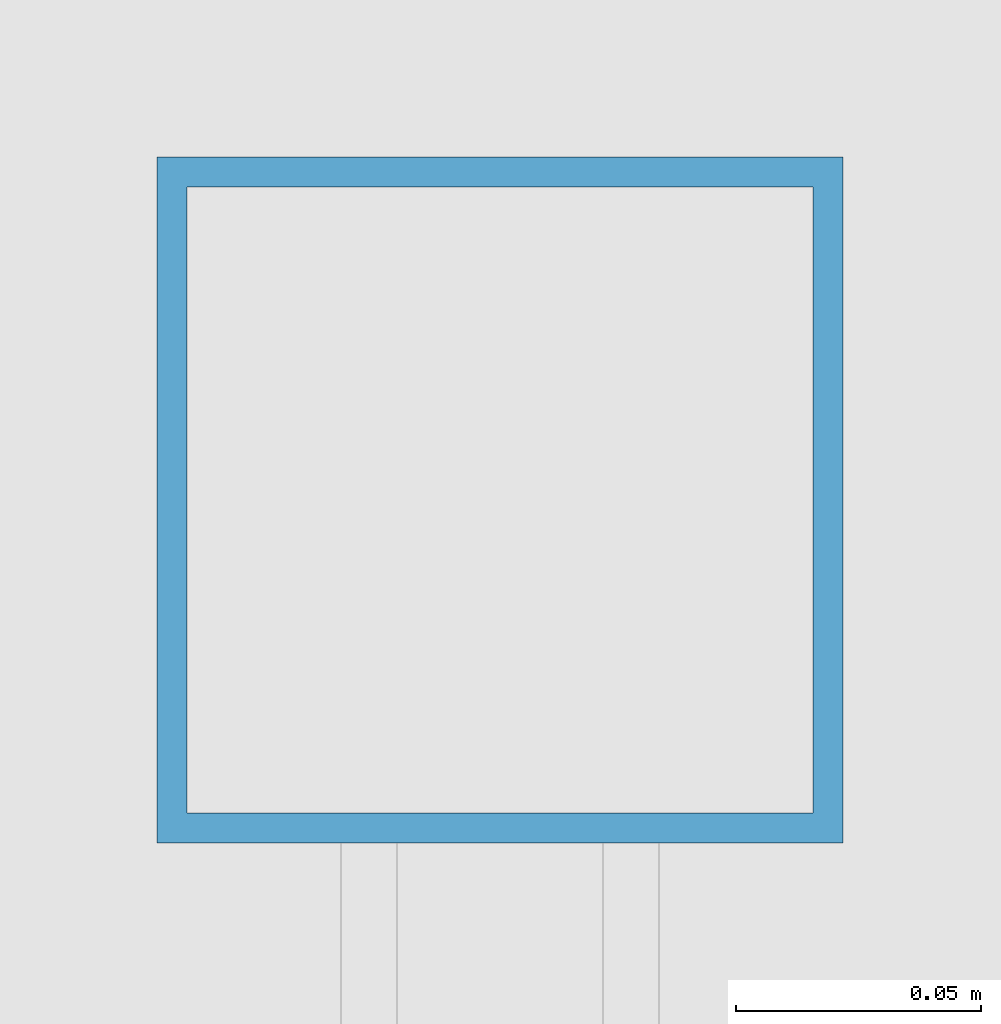
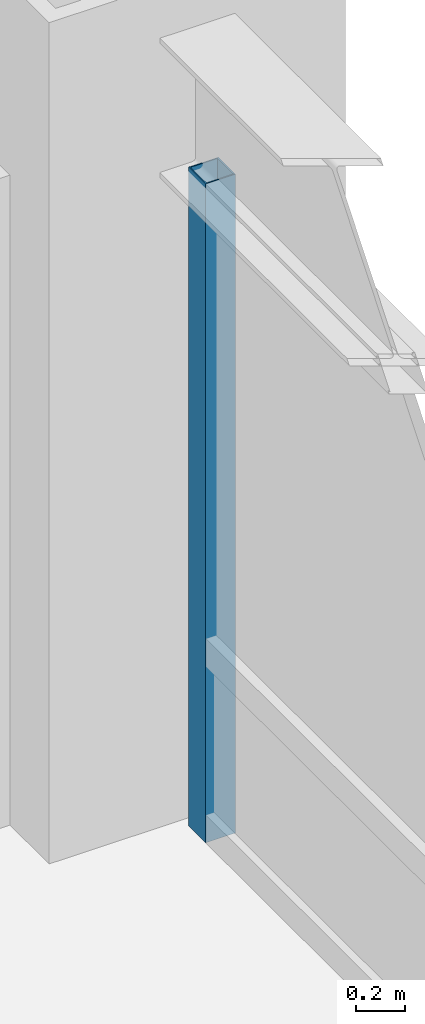
# One storey, part 16 of 32: 1 member, 1 element without a shape of its own.
"""IFC4 building model written with IfcOpenShell, lengths in metres."""

from ifc_helpers import new_model, si_unit, direction, frame, origin, origin_2d, place, context, subcontext, project, spatial, hollow_rectangle, extrude, source, transform, mapped, material, material_profile, profile_set, type_object, element, aggregate, save


model = new_model("IFC4")

# Units and contexts
model_context = context("Model", 3, precision=1e-05, world=origin(), true_north=direction((0.0, 1.0)))
body_context = subcontext(model_context, "Body", "Model", "MODEL_VIEW")
ifc_project = project(units=[si_unit("LENGTHUNIT", "METRE"), si_unit("AREAUNIT", "SQUARE_METRE"), si_unit("VOLUMEUNIT", "CUBIC_METRE"), si_unit("PLANEANGLEUNIT", "RADIAN"), si_unit("MASSUNIT", "GRAM", prefix="KILO")], contexts=[model_context])

# Site, building, storey
site_placement = place(None, origin())
site = spatial("IfcSite", under=ifc_project, at=site_placement, CompositionType="ELEMENT")
building_placement = place(site_placement, origin())
building = spatial("IfcBuilding", under=site, at=building_placement, Name="Khorayat Bourse Tower", CompositionType="ELEMENT")
storey_placement = place(building_placement, frame((0.0, 0.0, 74.60009765625)))
storey = spatial("IfcBuildingStorey", under=building, at=storey_placement, Name="L16", CompositionType="ELEMENT", Elevation=74.60009765625)

# Curtain wall, member
ifc_material = material(Name="Aluminium EN AW-6063 T6", Category="aluminium")
curtain_wall_type = type_object("IfcCurtainWallType", Name="CW-SYS-02", PredefinedType="NOTDEFINED", material=ifc_material)
curtain_wall_placement = place(storey_placement, origin())
curtain_wall = element("IfcCurtainWall", 1, at=curtain_wall_placement, inside=storey, type_object=curtain_wall_type, Name="L16 Curtain Wall CW-L16-E1", PredefinedType="NOTDEFINED")
ifc_material_profile = material_profile(ifc_material, hollow_rectangle(XDim=0.139892578125, YDim=0.139892578125, WallThickness=0.006103515625, at=origin_2d()), Name="ALU 140x140x6")
ifc_profile_set = profile_set([ifc_material_profile], Name="Aluminium EN AW-6063 T6")
member_type = type_object("IfcMemberType", Name="CWM-VERT-140", PredefinedType="MULLION", material=ifc_profile_set)
shared_shape = source(origin(), body_context, "Body", "SweptSolid", [
    extrude(hollow_rectangle(XDim=0.139892578125, YDim=0.139892578125, WallThickness=0.006103515625, at=origin_2d()), origin(), (0.0, 0.0, 1.0), 3.289794921875),
])
member_placement = place(storey_placement, frame((32.0, 27.679931640625, 0.0), z_axis=(0.0, 0.0, 1.0), x_axis=(-1.0, 0.0, 0.0)))
member = element("IfcMember", 2, at=member_placement, type_object=member_type, Name="CW-L16-E1 Vertical Mullion 3", PredefinedType="MULLION", context=body_context, shape_type="MappedRepresentation", body=[
    mapped(shared_shape, transform((0.0, 0.0, 0.0), scale=1.0)),
])
aggregate(curtain_wall, [member])

save(model, "model.ifc")
